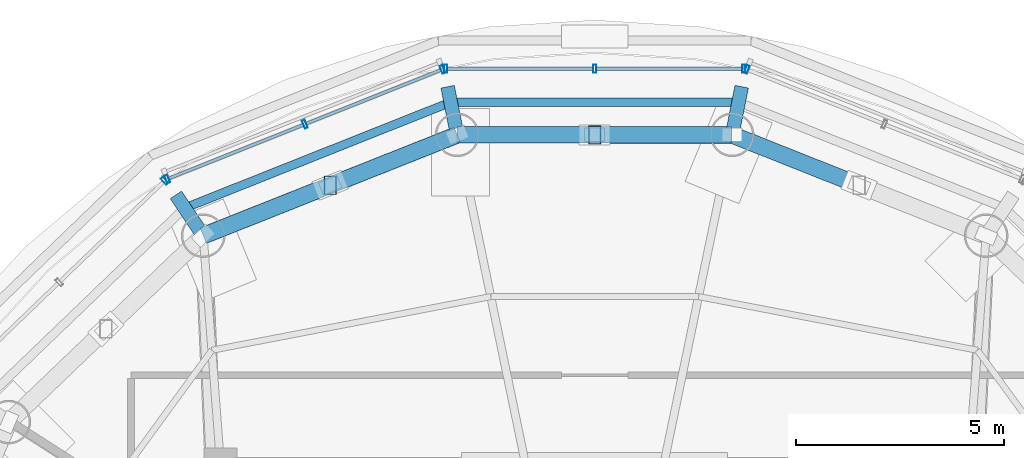
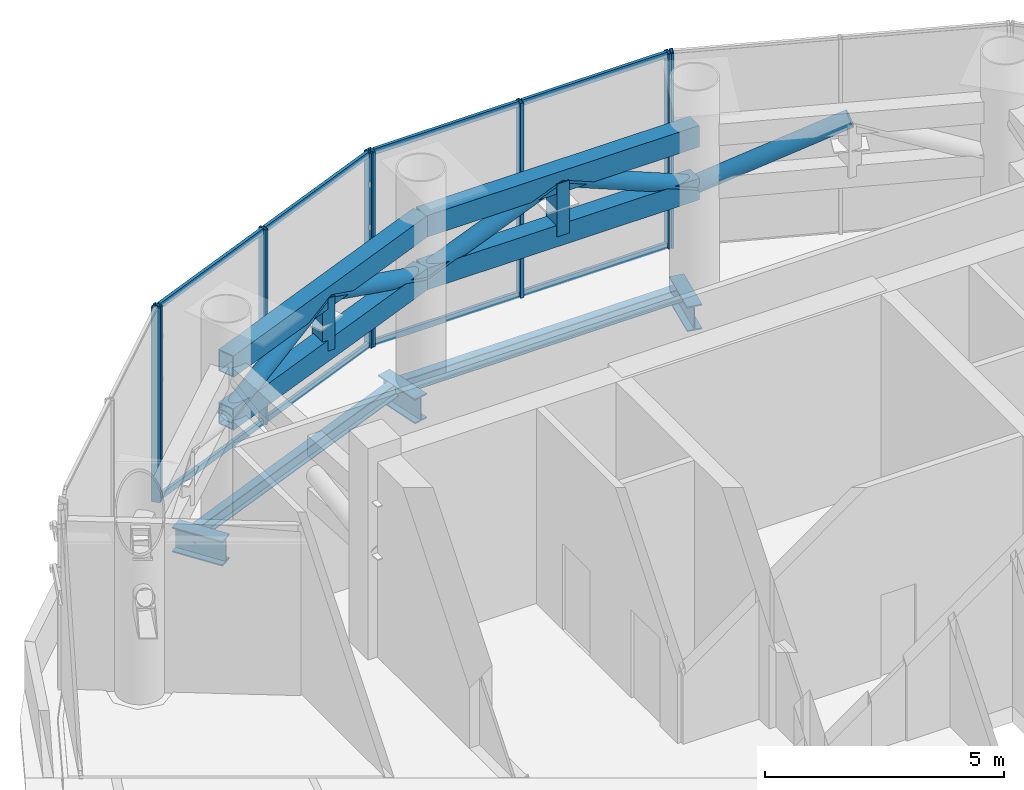
# One storey, part 13 of 21: 27 members, 5 beams, 4 elements without a shape of their own.
"""IFC4 building model written with IfcOpenShell, lengths in metres."""

from ifc_helpers import new_model, si_unit, direction, frame, origin, origin_2d, place, context, subcontext, project, spatial, hollow_rectangle, hollow_circle, i_section, extrude, source, transform, mapped, material, material_profile, profile_set, type_object, element, aggregate, save


model = new_model("IFC4")

# Units and contexts
model_context = context("Model", 3, precision=1e-05, world=origin(), true_north=direction((-0.2419218956, 0.970295726276)))
body_context = subcontext(model_context, "Body", "Model", "MODEL_VIEW")
ifc_project = project(units=[si_unit("LENGTHUNIT", "METRE"), si_unit("AREAUNIT", "SQUARE_METRE"), si_unit("VOLUMEUNIT", "CUBIC_METRE"), si_unit("PLANEANGLEUNIT", "RADIAN"), si_unit("MASSUNIT", "GRAM", prefix="KILO")], contexts=[model_context])

# Site, building, storey
site_placement = place(None, origin())
site = spatial("IfcSite", under=ifc_project, at=site_placement, CompositionType="ELEMENT")
building_placement = place(site_placement, origin())
building = spatial("IfcBuilding", under=site, at=building_placement, Name="Cobrevalo Terracotta Tower", CompositionType="ELEMENT")
storey_placement = place(building_placement, frame((0.0, 0.0, 300.699951171875)))
storey = spatial("IfcBuildingStorey", under=building, at=storey_placement, Name="L79", CompositionType="ELEMENT", Elevation=300.699951171875)

# Beams
ifc_material_1 = material(Name="Steel S355", Category="steel")
ifc_material_profile_1 = material_profile(ifc_material_1, i_section(OverallWidth=0.3291015625, OverallDepth=0.635009765625, WebThickness=0.017822265625, FlangeThickness=0.031005859375, at=origin_2d()), Name="W 610x241")
ifc_profile_set_1 = profile_set([ifc_material_profile_1], Name="Steel S355")
beam_type_1 = type_object("IfcBeamType", Name="Structural Beam W 610x241 (Steel S355)", PredefinedType="BEAM", material=ifc_profile_set_1)
for number, where, z_axis, x_axis, name in (
    (1, (41.536865234375, 43.89501953125, -0.767333984375), (-0.194922198776, -0.980818707216, 0.0), (0.980818707216, -0.194922198776, 0.0), "L79 setback step-link girder 04"),
    (2, (34.463134765625, 43.89501953125, -0.767333984375), (0.194922198776, -0.980818707216, 0.0), (0.980818707216, 0.194922198776, 0.0), "L79 setback step-link girder 05"),
    (3, (27.927490234375, 41.29248046875, -0.767333984375), (0.555511595138, -0.831508789892, 0.0), (0.831508789892, 0.555511595138, 0.0), "L79 setback step-link girder 06"),
):
    element("IfcBeam", number, at=place(storey_placement, frame(where, z_axis=z_axis, x_axis=x_axis)), inside=storey, type_object=beam_type_1, Name=name, PredefinedType="BEAM", context=body_context, shape_type="SweptSolid", body=[
        extrude(i_section(OverallWidth=0.3291015625, OverallDepth=0.635009765625, WebThickness=0.017822265625, FlangeThickness=0.031005859375, at=origin_2d()), origin(), (0.0, 0.0, 1.0), 1.179931640625),
    ])
ifc_material_profile_2 = material_profile(ifc_material_1, i_section(OverallWidth=0.205078125, OverallDepth=0.35400390625, WebThickness=0.009521484375, FlangeThickness=0.016845703125, at=origin_2d()), Name="W 360x79")
ifc_profile_set_2 = profile_set([ifc_material_profile_2], Name="Steel S355")
beam_type_2 = type_object("IfcBeamType", Name="Structural Spandrel W 360x79 (Steel S355)", PredefinedType="SPANDREL", material=ifc_profile_set_2)
beam_1_placement = place(storey_placement, frame((41.462890625, 43.5224609375, -0.626953125), z_axis=(-1.0, 0.0, 0.0), x_axis=(0.0, -1.0, 0.0)))
element("IfcBeam", 4, at=beam_1_placement, inside=storey, type_object=beam_type_2, Name="L79 perimeter ring spandrel 04", PredefinedType="SPANDREL", context=body_context, shape_type="SweptSolid", body=[
    extrude(i_section(OverallWidth=0.205078125, OverallDepth=0.35400390625, WebThickness=0.009521484375, FlangeThickness=0.016845703125, at=origin_2d()), origin(), (0.0, 0.0, 1.0), 6.92578125),
])
beam_2_placement = place(storey_placement, frame((34.537109375, 43.5224609375, -0.626953125), z_axis=(-0.929149986048, -0.369702993533, 0.0), x_axis=(0.369702993533, -0.929149986048, 0.0)))
element("IfcBeam", 5, at=beam_2_placement, inside=storey, type_object=beam_type_2, Name="L79 perimeter ring spandrel 05", PredefinedType="SPANDREL", context=body_context, shape_type="SweptSolid", body=[
    extrude(i_section(OverallWidth=0.205078125, OverallDepth=0.35400390625, WebThickness=0.009521484375, FlangeThickness=0.016845703125, at=origin_2d()), origin(), (0.0, 0.0, 1.0), 6.88623046875),
])

# Members
ifc_material_profile_3 = material_profile(ifc_material_1, hollow_rectangle(XDim=0.300048828125, YDim=0.449951171875, WallThickness=0.02001953125, at=origin_2d()), Name="RHS 450x300x20")
ifc_profile_set_3 = profile_set([ifc_material_profile_3], Name="Steel S355")
member_type_1 = type_object("IfcMemberType", Name="Steel Post RHS 450x300x20 (Steel S355)", PredefinedType="POST", material=ifc_profile_set_3)
shared_shape_1 = source(origin(), body_context, "Body", "SweptSolid", [
    extrude(hollow_rectangle(XDim=0.300048828125, YDim=0.449951171875, WallThickness=0.02001953125, at=origin_2d()), origin(), (0.0, 0.0, 1.0), 1.349853515625),
])
for number, where, z_axis, x_axis, name in (
    (6, (38.0, 42.73779296875, 2.650146484375), (0.0, 0.0, 1.0), (1.0, 0.0, 0.0), "L79 belt truss post 04"),
    (7, (31.63818359375, 41.524658203125, 2.650146484375), (0.0, 0.0, 1.0), (1.0, 0.0, 0.0), "L79 belt truss post 05"),
):
    element("IfcMember", number, at=place(storey_placement, frame(where, z_axis=z_axis, x_axis=x_axis)), inside=storey, type_object=member_type_1, Name=name, PredefinedType="POST", context=body_context, shape_type="MappedRepresentation", body=[
        mapped(shared_shape_1, transform((0.0, 0.0, 0.0), scale=1.0)),
    ])
ifc_material_profile_4 = material_profile(ifc_material_1, hollow_rectangle(XDim=0.39990234375, YDim=0.550048828125, WallThickness=0.02490234375, at=origin_2d()), Name="RHS 550x400x25")
ifc_profile_set_4 = profile_set([ifc_material_profile_4], Name="Steel S355")
member_type_2 = type_object("IfcMemberType", Name="Steel Chord RHS 550x400x25 (Steel S355)", PredefinedType="CHORD", material=ifc_profile_set_4)
shared_shape_2 = source(origin(), body_context, "Body", "SweptSolid", [
    extrude(hollow_rectangle(XDim=0.39990234375, YDim=0.550048828125, WallThickness=0.02490234375, at=origin_2d()), origin(), (0.0, 0.0, 1.0), 6.57421875),
])
for number, where, z_axis, x_axis, name in (
    (8, (34.693115234375, 42.73779296875, 2.650146484375), (-0.929393272516, -0.369090971173, 0.0), (0.369090971173, -0.929393272516, 0.0), "L79 belt truss chord 05-BC"),
    (9, (34.693115234375, 42.73779296875, 4.0), (-0.929393272516, -0.369090971173, 0.0), (0.369090971173, -0.929393272516, 0.0), "L79 belt truss chord 05-TC"),
):
    element("IfcMember", number, at=place(storey_placement, frame(where, z_axis=z_axis, x_axis=x_axis)), inside=storey, type_object=member_type_2, Name=name, PredefinedType="CHORD", context=body_context, shape_type="MappedRepresentation", body=[
        mapped(shared_shape_2, transform((0.0, 0.0, 0.0), scale=1.0)),
    ])
ifc_material_profile_5 = material_profile(ifc_material_1, hollow_circle(Radius=0.202880859375, WallThickness=0.01611328125, at=origin_2d()), Name="CHS 406x16")
ifc_profile_set_5 = profile_set([ifc_material_profile_5], Name="Steel S355")
member_type_3 = type_object("IfcMemberType", Name="Steel Brace CHS 406x16 (Steel S355)", PredefinedType="BRACE", material=ifc_profile_set_5)
shared_shape_3 = source(origin(), body_context, "Body", "SweptSolid", [
    extrude(hollow_circle(Radius=0.202880859375, WallThickness=0.01611328125, at=origin_2d()), origin(), (0.0, 0.0, 1.0), 3.5537109375),
])
member_1_placement = place(storey_placement, frame((28.5830078125, 40.311279296875, 2.650146484375), z_axis=(0.859726784029, 0.341444950985, 0.379848920321), x_axis=(-0.36911030821, 0.929385592945, 0.0)))
element("IfcMember", 10, at=member_1_placement, inside=storey, type_object=member_type_3, Name="L79 belt truss diagonal brace 05-D2", PredefinedType="BRACE", context=body_context, shape_type="MappedRepresentation", body=[
    mapped(shared_shape_3, transform((0.0, 0.0, 0.0), scale=1.0)),
])
shared_shape_4 = source(origin(), body_context, "Body", "SweptSolid", [
    extrude(hollow_circle(Radius=0.202880859375, WallThickness=0.01611328125, at=origin_2d()), origin(), (0.0, 0.0, 1.0), 3.553466796875),
])
for number, where, z_axis, x_axis, name in (
    (11, (41.306884765625, 42.73779296875, 2.650146484375), (0.859729028206, -0.341404422693, 0.379880268277), (0.369071632111, 0.929400952426, 0.0), "L79 belt truss diagonal brace 03-D2"),
    (12, (34.693115234375, 42.73779296875, 2.650146484375), (-0.859729028206, -0.341404422693, 0.379880268277), (0.369071632111, -0.929400952426, 0.0), "L79 belt truss diagonal brace 05-D1"),
):
    element("IfcMember", number, at=place(storey_placement, frame(where, z_axis=z_axis, x_axis=x_axis)), inside=storey, type_object=member_type_3, Name=name, PredefinedType="BRACE", context=body_context, shape_type="MappedRepresentation", body=[
        mapped(shared_shape_4, transform((0.0, 0.0, 0.0), scale=1.0)),
    ])
shared_shape_5 = source(origin(), body_context, "Body", "SweptSolid", [
    extrude(hollow_rectangle(XDim=0.39990234375, YDim=0.550048828125, WallThickness=0.02490234375, at=origin_2d()), origin(), (0.0, 0.0, 1.0), 6.61376953125),
])
for number, where, z_axis, x_axis, name in (
    (13, (41.306884765625, 42.73779296875, 2.650146484375), (-1.0, 0.0, 0.0), (0.0, -1.0, 0.0), "L79 belt truss chord 04-BC"),
    (14, (41.306884765625, 42.73779296875, 4.0), (-1.0, 0.0, 0.0), (0.0, -1.0, 0.0), "L79 belt truss chord 04-TC"),
):
    element("IfcMember", number, at=place(storey_placement, frame(where, z_axis=z_axis, x_axis=x_axis)), inside=storey, type_object=member_type_2, Name=name, PredefinedType="CHORD", context=body_context, shape_type="MappedRepresentation", body=[
        mapped(shared_shape_5, transform((0.0, 0.0, 0.0), scale=1.0)),
    ])
shared_shape_6 = source(origin(), body_context, "Body", "SweptSolid", [
    extrude(hollow_circle(Radius=0.202880859375, WallThickness=0.01611328125, at=origin_2d()), origin(), (0.0, 0.0, 1.0), 3.57177734375),
])
for number, where, z_axis, x_axis, name in (
    (15, (41.306884765625, 42.73779296875, 2.650146484375), (-0.925837394109, 0.0, 0.377922107939), (0.0, -1.0, 0.0), "L79 belt truss diagonal brace 04-D1"),
    (16, (34.693115234375, 42.73779296875, 2.650146484375), (0.925837394109, 0.0, 0.377922107939), (0.0, 1.0, 0.0), "L79 belt truss diagonal brace 04-D2"),
):
    element("IfcMember", number, at=place(storey_placement, frame(where, z_axis=z_axis, x_axis=x_axis)), inside=storey, type_object=member_type_3, Name=name, PredefinedType="BRACE", context=body_context, shape_type="MappedRepresentation", body=[
        mapped(shared_shape_6, transform((0.0, 0.0, 0.0), scale=1.0)),
    ])

# Curtain wall, member
ifc_material_2 = material(Name="Anodized aluminium", Category="aluminium")
curtain_wall_type = type_object("IfcCurtainWallType", Name="Belt-truss plant acoustic weather-louvre curtain wall CW-LV", PredefinedType="NOTDEFINED", material=ifc_material_2)
curtain_wall_1_placement = place(storey_placement, origin())
curtain_wall_1 = element("IfcCurtainWall", 17, at=curtain_wall_1_placement, inside=storey, type_object=curtain_wall_type, Name="L79 curtain wall CW-LV-L79-S03", PredefinedType="NOTDEFINED")
ifc_material_profile_6 = material_profile(ifc_material_2, hollow_rectangle(XDim=0.074951171875, YDim=0.199951171875, WallThickness=0.0048828125, at=origin_2d()), Name="CWM 75x200")
ifc_profile_set_6 = profile_set([ifc_material_profile_6], Name="Anodized aluminium")
member_type_4 = type_object("IfcMemberType", Name="Lower/mid tower unitised mullion 75x200", PredefinedType="MULLION", material=ifc_profile_set_6)
shared_shape_7 = source(origin(), body_context, "Body", "SweptSolid", [
    extrude(hollow_rectangle(XDim=0.074951171875, YDim=0.199951171875, WallThickness=0.0048828125, at=origin_2d()), origin(), (0.0, 0.0, 1.0), 4.97998046875),
])
member_2_placement = place(storey_placement, frame((41.659912109375, 44.311767578125, 0.0), z_axis=(0.0, 0.0, 1.0), x_axis=(-0.928925921087, 0.370265625102, 0.0)))
member_2 = element("IfcMember", 18, at=member_2_placement, type_object=member_type_4, Name="CW-LV-L79-S03 vertical mullion 03", PredefinedType="MULLION", context=body_context, shape_type="MappedRepresentation", body=[
    mapped(shared_shape_7, transform((0.0, 0.0, 0.0), scale=1.0)),
])
aggregate(curtain_wall_1, [member_2])

# Curtain wall, members
curtain_wall_2_placement = place(storey_placement, origin())
curtain_wall_2 = element("IfcCurtainWall", 19, at=curtain_wall_2_placement, inside=storey, type_object=curtain_wall_type, Name="L79 curtain wall CW-LV-L79-S04", PredefinedType="NOTDEFINED")
member_3_placement = place(storey_placement, frame((41.582763671875, 44.32666015625, 0.0), z_axis=(0.0, 0.0, 1.0), x_axis=(-1.0, 0.0, 0.0)))
member_3 = element("IfcMember", 20, at=member_3_placement, type_object=member_type_4, Name="CW-LV-L79-S04 vertical mullion 01", PredefinedType="MULLION", context=body_context, shape_type="MappedRepresentation", body=[
    mapped(shared_shape_7, transform((0.0, 0.0, 0.0), scale=1.0)),
])
member_4_placement = place(storey_placement, frame((38.0, 44.32666015625, 0.0), z_axis=(0.0, 0.0, 1.0), x_axis=(-1.0, 0.0, 0.0)))
member_4 = element("IfcMember", 21, at=member_4_placement, type_object=member_type_4, Name="CW-LV-L79-S04 vertical mullion 02", PredefinedType="MULLION", context=body_context, shape_type="MappedRepresentation", body=[
    mapped(shared_shape_7, transform((0.0, 0.0, 0.0), scale=1.0)),
])
member_5_placement = place(storey_placement, frame((34.417236328125, 44.32666015625, 0.0), z_axis=(0.0, 0.0, 1.0), x_axis=(-1.0, 0.0, 0.0)))
member_5 = element("IfcMember", 22, at=member_5_placement, type_object=member_type_4, Name="CW-LV-L79-S04 vertical mullion 03", PredefinedType="MULLION", context=body_context, shape_type="MappedRepresentation", body=[
    mapped(shared_shape_7, transform((0.0, 0.0, 0.0), scale=1.0)),
])

curtain_wall_3_placement = place(storey_placement, origin())
curtain_wall_3 = element("IfcCurtainWall", 23, at=curtain_wall_3_placement, inside=storey, type_object=curtain_wall_type, Name="L79 curtain wall CW-LV-L79-S05", PredefinedType="NOTDEFINED")
member_6_placement = place(storey_placement, frame((34.340087890625, 44.311767578125, 0.0), z_axis=(0.0, 0.0, 1.0), x_axis=(-0.928925921087, -0.370265625102, 0.0)))
member_6 = element("IfcMember", 24, at=member_6_placement, type_object=member_type_4, Name="CW-LV-L79-S05 vertical mullion 01", PredefinedType="MULLION", context=body_context, shape_type="MappedRepresentation", body=[
    mapped(shared_shape_7, transform((0.0, 0.0, 0.0), scale=1.0)),
])
member_7_placement = place(storey_placement, frame((31.030029296875, 42.992431640625, 0.0), z_axis=(0.0, 0.0, 1.0), x_axis=(-0.928925921087, -0.370265625102, 0.0)))
member_7 = element("IfcMember", 25, at=member_7_placement, type_object=member_type_4, Name="CW-LV-L79-S05 vertical mullion 02", PredefinedType="MULLION", context=body_context, shape_type="MappedRepresentation", body=[
    mapped(shared_shape_7, transform((0.0, 0.0, 0.0), scale=1.0)),
])
member_8_placement = place(storey_placement, frame((27.72021484375, 41.673095703125, 0.0), z_axis=(0.0, 0.0, 1.0), x_axis=(-0.928925921087, -0.370265625102, 0.0)))
member_8 = element("IfcMember", 26, at=member_8_placement, type_object=member_type_4, Name="CW-LV-L79-S05 vertical mullion 03", PredefinedType="MULLION", context=body_context, shape_type="MappedRepresentation", body=[
    mapped(shared_shape_7, transform((0.0, 0.0, 0.0), scale=1.0)),
])

# Curtain wall, member
curtain_wall_4_placement = place(storey_placement, origin())
curtain_wall_4 = element("IfcCurtainWall", 27, at=curtain_wall_4_placement, inside=storey, type_object=curtain_wall_type, Name="L79 curtain wall CW-LV-L79-S06", PredefinedType="NOTDEFINED")
member_9_placement = place(storey_placement, frame((27.654296875, 41.630615234375, 0.0), z_axis=(0.0, 0.0, 1.0), x_axis=(-0.72055111168, -0.693401828276, 0.0)))
member_9 = element("IfcMember", 28, at=member_9_placement, type_object=member_type_4, Name="CW-LV-L79-S06 vertical mullion 01", PredefinedType="MULLION", context=body_context, shape_type="MappedRepresentation", body=[
    mapped(shared_shape_7, transform((0.0, 0.0, 0.0), scale=1.0)),
])
aggregate(curtain_wall_4, [member_9])

# Member
ifc_material_profile_7 = material_profile(ifc_material_2, hollow_rectangle(XDim=0.074951171875, YDim=0.14990234375, WallThickness=0.00439453125, at=origin_2d()), Name="CWT 75x150")
ifc_profile_set_7 = profile_set([ifc_material_profile_7], Name="Anodized aluminium")
member_type_5 = type_object("IfcMemberType", Name="Tower unitised aluminium transom 75x150", PredefinedType="USERDEFINED", material=ifc_profile_set_7)
shared_shape_8 = source(origin(), body_context, "Body", "SweptSolid", [
    extrude(hollow_rectangle(XDim=0.074951171875, YDim=0.14990234375, WallThickness=0.00439453125, at=origin_2d()), origin(), (0.0, 0.0, 1.0), 3.483154296875),
])
member_10_placement = place(storey_placement, frame((34.302978515625, 44.297119140625, 0.050048828125), z_axis=(-0.928915921031, -0.370290712353, 0.0), x_axis=(0.370290712353, -0.928915921031, 0.0)))
member_10 = element("IfcMember", 29, at=member_10_placement, type_object=member_type_5, Name="CW-LV-L79-S05 transom B01-T1", ObjectType="TRANSOM", PredefinedType="USERDEFINED", context=body_context, shape_type="MappedRepresentation", body=[
    mapped(shared_shape_8, transform((0.0, 0.0, 0.0), scale=1.0)),
])

member_11_placement = place(storey_placement, frame((34.302978515625, 44.297119140625, 4.929931640625), z_axis=(-0.928915921031, -0.370290712353, 0.0), x_axis=(0.370290712353, -0.928915921031, 0.0)))
member_11 = element("IfcMember", 30, at=member_11_placement, type_object=member_type_5, Name="CW-LV-L79-S05 transom B01-T2", ObjectType="TRANSOM", PredefinedType="USERDEFINED", context=body_context, shape_type="MappedRepresentation", body=[
    mapped(shared_shape_8, transform((0.0, 0.0, 0.0), scale=1.0)),
])

member_12_placement = place(storey_placement, frame((30.992919921875, 42.977783203125, 0.050048828125), z_axis=(-0.928915921031, -0.370290712353, 0.0), x_axis=(0.370290712353, -0.928915921031, 0.0)))
member_12 = element("IfcMember", 31, at=member_12_placement, type_object=member_type_5, Name="CW-LV-L79-S05 transom B02-T1", ObjectType="TRANSOM", PredefinedType="USERDEFINED", context=body_context, shape_type="MappedRepresentation", body=[
    mapped(shared_shape_8, transform((0.0, 0.0, 0.0), scale=1.0)),
])

member_13_placement = place(storey_placement, frame((30.992919921875, 42.977783203125, 4.929931640625), z_axis=(-0.928915921031, -0.370290712353, 0.0), x_axis=(0.370290712353, -0.928915921031, 0.0)))
member_13 = element("IfcMember", 32, at=member_13_placement, type_object=member_type_5, Name="CW-LV-L79-S05 transom B02-T2", ObjectType="TRANSOM", PredefinedType="USERDEFINED", context=body_context, shape_type="MappedRepresentation", body=[
    mapped(shared_shape_8, transform((0.0, 0.0, 0.0), scale=1.0)),
])

aggregate(curtain_wall_3, [member_6, member_7, member_8, member_10, member_11, member_12, member_13])

shared_shape_9 = source(origin(), body_context, "Body", "SweptSolid", [
    extrude(hollow_rectangle(XDim=0.074951171875, YDim=0.14990234375, WallThickness=0.00439453125, at=origin_2d()), origin(), (0.0, 0.0, 1.0), 3.502685546875),
])
member_14_placement = place(storey_placement, frame((41.542724609375, 44.32666015625, 0.050048828125), z_axis=(-1.0, 0.0, 0.0), x_axis=(0.0, -1.0, 0.0)))
member_14 = element("IfcMember", 33, at=member_14_placement, type_object=member_type_5, Name="CW-LV-L79-S04 transom B01-T1", ObjectType="TRANSOM", PredefinedType="USERDEFINED", context=body_context, shape_type="MappedRepresentation", body=[
    mapped(shared_shape_9, transform((0.0, 0.0, 0.0), scale=1.0)),
])

member_15_placement = place(storey_placement, frame((41.542724609375, 44.32666015625, 4.929931640625), z_axis=(-1.0, 0.0, 0.0), x_axis=(0.0, -1.0, 0.0)))
member_15 = element("IfcMember", 34, at=member_15_placement, type_object=member_type_5, Name="CW-LV-L79-S04 transom B01-T2", ObjectType="TRANSOM", PredefinedType="USERDEFINED", context=body_context, shape_type="MappedRepresentation", body=[
    mapped(shared_shape_9, transform((0.0, 0.0, 0.0), scale=1.0)),
])

member_16_placement = place(storey_placement, frame((37.9599609375, 44.32666015625, 0.050048828125), z_axis=(-1.0, 0.0, 0.0), x_axis=(0.0, -1.0, 0.0)))
member_16 = element("IfcMember", 35, at=member_16_placement, type_object=member_type_5, Name="CW-LV-L79-S04 transom B02-T1", ObjectType="TRANSOM", PredefinedType="USERDEFINED", context=body_context, shape_type="MappedRepresentation", body=[
    mapped(shared_shape_9, transform((0.0, 0.0, 0.0), scale=1.0)),
])

member_17_placement = place(storey_placement, frame((37.9599609375, 44.32666015625, 4.929931640625), z_axis=(-1.0, 0.0, 0.0), x_axis=(0.0, -1.0, 0.0)))
member_17 = element("IfcMember", 36, at=member_17_placement, type_object=member_type_5, Name="CW-LV-L79-S04 transom B02-T2", ObjectType="TRANSOM", PredefinedType="USERDEFINED", context=body_context, shape_type="MappedRepresentation", body=[
    mapped(shared_shape_9, transform((0.0, 0.0, 0.0), scale=1.0)),
])

aggregate(curtain_wall_2, [member_3, member_4, member_5, member_14, member_15, member_16, member_17])

save(model, "model.ifc")
